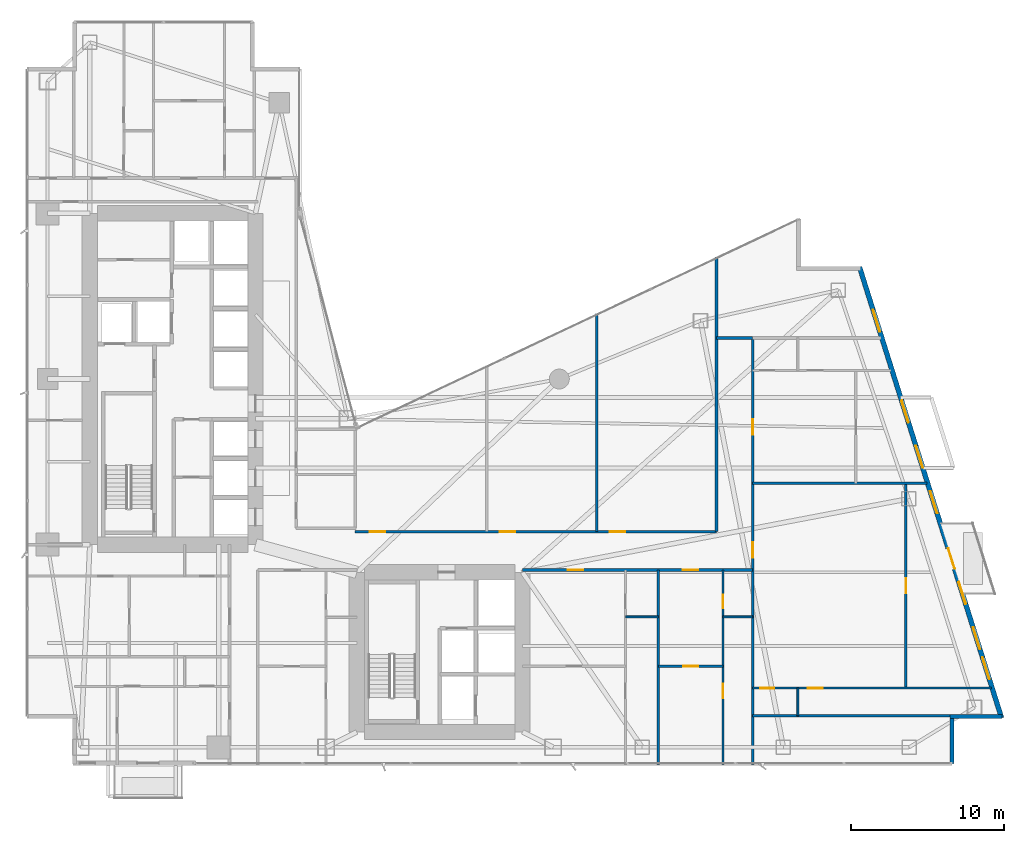
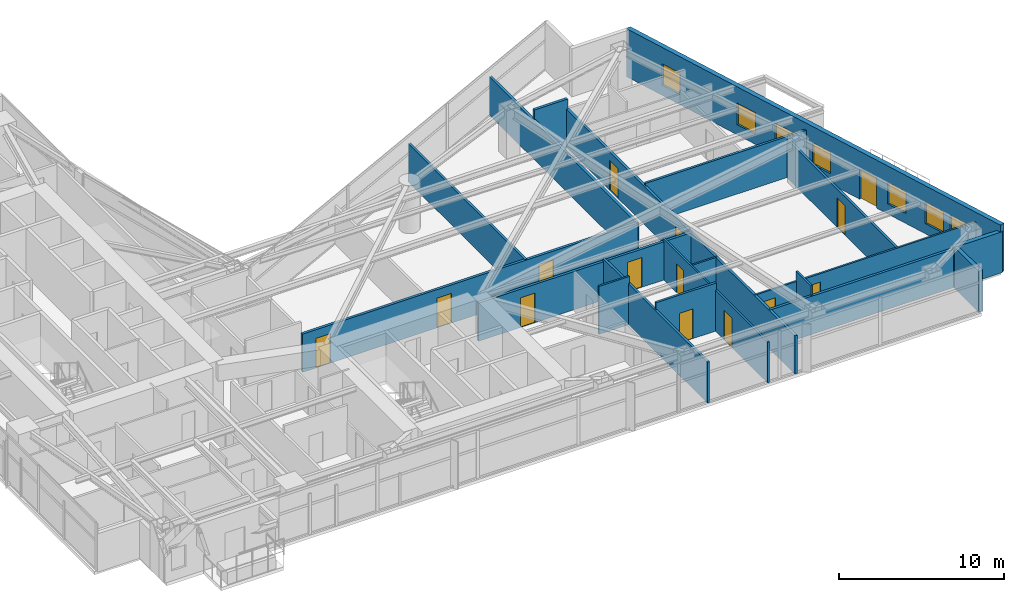
# One storey, part 24 of 29: 19 walls, 14 doors, 7 windows, 21 openings.
"""IFC4 building model written with IfcOpenShell, lengths in metres."""

from ifc_helpers import new_model, si_unit, direction, frame, frame_2d, origin, place, context, subcontext, project, spatial, rectangle, extrude, material, layer, layer_set, type_object, element, fill, save


model = new_model("IFC4")

# Units and contexts
model_context = context("Model", 3, precision=1e-05, world=origin(), true_north=direction((0.0, 1.0)))
body_context = subcontext(model_context, "Body", "Model", "MODEL_VIEW")
ifc_project = project(units=[si_unit("LENGTHUNIT", "METRE"), si_unit("AREAUNIT", "SQUARE_METRE"), si_unit("VOLUMEUNIT", "CUBIC_METRE"), si_unit("PLANEANGLEUNIT", "RADIAN"), si_unit("MASSUNIT", "GRAM", prefix="KILO")], contexts=[model_context])

# Site, building, storey
site_placement = place(None, origin())
site = spatial("IfcSite", under=ifc_project, at=site_placement, CompositionType="ELEMENT")
building_placement = place(site_placement, origin())
building = spatial("IfcBuilding", under=site, at=building_placement, Name="Calvorn Quay Hotel", CompositionType="ELEMENT")
storey_placement = place(building_placement, frame((0.0, 0.0, 38.39990234375)))
storey = spatial("IfcBuildingStorey", under=building, at=storey_placement, Name="L08", CompositionType="ELEMENT", Elevation=38.39990234375)

# Wall, openings, doors
ifc_material_1 = material(Name="Acoustic Fireboard Steel-Stud Partition", Category="steel")
ifc_layer_1 = layer(ifc_material_1, 0.179931640625)
ifc_layer_set_1 = layer_set([ifc_layer_1], Name="WL-CORR-FIRE-180")
wall_type_1 = type_object("IfcWallType", Name="WL-CORR-FIRE-180", PredefinedType="PARTITIONING", material=ifc_layer_set_1)
wall_1_placement = place(storey_placement, frame((32.39990234375, 15.14990234375, 0.0), z_axis=(0.0, 0.0, 1.0), x_axis=(1.0, 0.0, 0.0)))
wall_1 = element("IfcWall", 1, at=wall_1_placement, inside=storey, type_object=wall_type_1, Name="Partition Wall L08-WL-CORR-SE-S", PredefinedType="PARTITIONING", context=body_context, shape_type="SweptSolid", body=[
    extrude(rectangle(XDim=15.0, YDim=0.179931640625, at=frame_2d((7.5, 0.0))), origin(), (0.0, 0.0, 1.0), 2.840087890625),
])
opening_1_placement = place(wall_1_placement, frame((2.949951171875, 0.0, 0.0)))
opening_1 = element("IfcOpeningElement", 2, at=opening_1_placement, cuts=wall_1, Name="Opening D-L08-U06", PredefinedType="OPENING", context=body_context, shape_type="SweptSolid", body=[
    extrude(rectangle(XDim=1.02001953125, YDim=2.199951171875, at=frame_2d((0.510009765625, 1.10009765625))), frame((0.0, 0.099853515625, 0.0), z_axis=(0.0, -1.0, 0.0), x_axis=(1.0, 0.0, 0.0)), (0.0, 0.0, 1.0), 0.199951171875),
])
opening_2_placement = place(wall_1_placement, frame((10.449951171875, 0.0, 0.0)))
opening_2 = element("IfcOpeningElement", 3, at=opening_2_placement, cuts=wall_1, Name="Opening D-L08-U07", PredefinedType="OPENING", context=body_context, shape_type="SweptSolid", body=[
    extrude(rectangle(XDim=1.02001953125, YDim=2.199951171875, at=frame_2d((0.510009765625, 1.10009765625))), frame((0.0, 0.099853515625, 0.0), z_axis=(0.0, -1.0, 0.0), x_axis=(1.0, 0.0, 0.0)), (0.0, 0.0, 1.0), 0.199951171875),
])
ifc_material_2 = material(Name="Solid-Core Walnut Veneer Hotel Fire Door")
door_type_1 = type_object("IfcDoorType", Name="DR-GUEST-ENTRY-1020", OperationType="NOTDEFINED", PredefinedType="DOOR", material=ifc_material_2)
door_1_placement = place(opening_1_placement, origin())
door_1 = element("IfcDoor", 4, at=door_1_placement, inside=storey, type_object=door_type_1, Name="South-East Unit Door U06 (L08)", OperationType="SINGLE_SWING_LEFT", OverallHeight=2.199951171875, OverallWidth=1.02001953125, PredefinedType="DOOR", context=body_context, shape_type="SweptSolid", body=[
    extrude(rectangle(XDim=1.02001953125, YDim=2.199951171875, at=frame_2d((0.510009765625, 1.10009765625))), frame((0.0, 0.02490234375, 0.0), z_axis=(0.0, -1.0, 0.0), x_axis=(1.0, 0.0, 0.0)), (0.0, 0.0, 1.0), 0.050048828125),
])
fill(opening_1, door_1)
door_2_placement = place(opening_2_placement, origin())
door_2 = element("IfcDoor", 5, at=door_2_placement, inside=storey, type_object=door_type_1, Name="South-East Unit Door U07 (L08)", OperationType="SINGLE_SWING_RIGHT", OverallHeight=2.199951171875, OverallWidth=1.02001953125, PredefinedType="DOOR", context=body_context, shape_type="SweptSolid", body=[
    extrude(rectangle(XDim=1.02001953125, YDim=2.199951171875, at=frame_2d((0.510009765625, 1.10009765625))), frame((0.0, 0.02490234375, 0.0), z_axis=(0.0, -1.0, 0.0), x_axis=(1.0, 0.0, 0.0)), (0.0, 0.0, 1.0), 0.050048828125),
])
fill(opening_2, door_2)

wall_2_placement = place(storey_placement, frame((21.5, 17.64990234375, 0.0), z_axis=(0.0, 0.0, 1.0), x_axis=(1.0, 0.0, 0.0)))
wall_2 = element("IfcWall", 6, at=wall_2_placement, inside=storey, type_object=wall_type_1, Name="Partition Wall L08-WL-CORR-NE-N", PredefinedType="PARTITIONING", context=body_context, shape_type="SweptSolid", body=[
    extrude(rectangle(XDim=23.550048828125, YDim=0.179931640625, at=frame_2d((11.77490234375, 0.0))), origin(), (0.0, 0.0, 1.0), 2.840087890625),
])
opening_3_placement = place(wall_2_placement, frame((0.949951171875, 0.0, 0.0)))
opening_3 = element("IfcOpeningElement", 7, at=opening_3_placement, cuts=wall_2, Name="Opening D-L08-NS1", PredefinedType="OPENING", context=body_context, shape_type="SweptSolid", body=[
    extrude(rectangle(XDim=1.02001953125, YDim=2.199951171875, at=frame_2d((0.510009765625, 1.10009765625))), frame((0.0, 0.099853515625, 0.0), z_axis=(0.0, -1.0, 0.0), x_axis=(1.0, 0.0, 0.0)), (0.0, 0.0, 1.0), 0.199951171875),
])
opening_4_placement = place(wall_2_placement, frame((9.419921875, 0.0, 0.0)))
opening_4 = element("IfcOpeningElement", 8, at=opening_4_placement, cuts=wall_2, Name="Opening D-L08-NS2", PredefinedType="OPENING", context=body_context, shape_type="SweptSolid", body=[
    extrude(rectangle(XDim=1.02001953125, YDim=2.199951171875, at=frame_2d((0.510009765625, 1.10009765625))), frame((0.0, 0.099853515625, 0.0), z_axis=(0.0, -1.0, 0.0), x_axis=(1.0, 0.0, 0.0)), (0.0, 0.0, 1.0), 0.199951171875),
])
opening_5_placement = place(wall_2_placement, frame((16.580078125, 0.0, 0.0)))
opening_5 = element("IfcOpeningElement", 9, at=opening_5_placement, cuts=wall_2, Name="Opening D-L08-NS3", PredefinedType="OPENING", context=body_context, shape_type="SweptSolid", body=[
    extrude(rectangle(XDim=1.02001953125, YDim=2.199951171875, at=frame_2d((0.510009765625, 1.10009765625))), frame((0.0, 0.099853515625, 0.0), z_axis=(0.0, -1.0, 0.0), x_axis=(1.0, 0.0, 0.0)), (0.0, 0.0, 1.0), 0.199951171875),
])
door_3_placement = place(opening_3_placement, origin())
door_3 = element("IfcDoor", 10, at=door_3_placement, inside=storey, type_object=door_type_1, Name="Conservatory Salon Door 1 (L08)", OperationType="SINGLE_SWING_RIGHT", OverallHeight=2.199951171875, OverallWidth=1.02001953125, PredefinedType="DOOR", context=body_context, shape_type="SweptSolid", body=[
    extrude(rectangle(XDim=1.02001953125, YDim=2.199951171875, at=frame_2d((0.510009765625, 1.10009765625))), frame((0.0, 0.02490234375, 0.0), z_axis=(0.0, -1.0, 0.0), x_axis=(1.0, 0.0, 0.0)), (0.0, 0.0, 1.0), 0.050048828125),
])
fill(opening_3, door_3)
door_4_placement = place(opening_4_placement, origin())
door_4 = element("IfcDoor", 11, at=door_4_placement, inside=storey, type_object=door_type_1, Name="Conservatory Salon Door 2 (L08)", OperationType="SINGLE_SWING_LEFT", OverallHeight=2.199951171875, OverallWidth=1.02001953125, PredefinedType="DOOR", context=body_context, shape_type="SweptSolid", body=[
    extrude(rectangle(XDim=1.02001953125, YDim=2.199951171875, at=frame_2d((0.510009765625, 1.10009765625))), frame((0.0, 0.02490234375, 0.0), z_axis=(0.0, -1.0, 0.0), x_axis=(1.0, 0.0, 0.0)), (0.0, 0.0, 1.0), 0.050048828125),
])
fill(opening_4, door_4)
door_5_placement = place(opening_5_placement, origin())
door_5 = element("IfcDoor", 12, at=door_5_placement, inside=storey, type_object=door_type_1, Name="Conservatory Salon Door 3 (L08)", OperationType="SINGLE_SWING_RIGHT", OverallHeight=2.199951171875, OverallWidth=1.02001953125, PredefinedType="DOOR", context=body_context, shape_type="SweptSolid", body=[
    extrude(rectangle(XDim=1.02001953125, YDim=2.199951171875, at=frame_2d((0.510009765625, 1.10009765625))), frame((0.0, 0.02490234375, 0.0), z_axis=(0.0, -1.0, 0.0), x_axis=(1.0, 0.0, 0.0)), (0.0, 0.0, 1.0), 0.050048828125),
])
fill(opening_5, door_5)

# Walls
wall_3_placement = place(storey_placement, frame((45.050048828125, 17.64990234375, 0.0), z_axis=(0.0, 0.0, 1.0), x_axis=(0.0, 1.0, 0.0)))
element("IfcWall", 13, at=wall_3_placement, inside=storey, type_object=wall_type_1, Name="Partition Wall L08-WL-NE-END-E", PredefinedType="PARTITIONING", context=body_context, shape_type="SweptSolid", body=[
    extrude(rectangle(XDim=17.900146484375, YDim=0.179931640625, at=frame_2d((8.9501953125, 0.0))), origin(), (0.0, 0.0, 1.0), 2.840087890625),
])
wall_4_placement = place(storey_placement, frame((47.39990234375, 5.659912109375, 0.0), z_axis=(0.0, 0.0, 1.0), x_axis=(1.0, 0.0, 0.0)))
element("IfcWall", 14, at=wall_4_placement, inside=storey, type_object=wall_type_1, Name="Partition Wall L08-WL-TIP-S", PredefinedType="PARTITIONING", context=body_context, shape_type="SweptSolid", body=[
    extrude(rectangle(XDim=13.0, YDim=0.179931640625, at=frame_2d((6.5, 0.0))), origin(), (0.0, 0.0, 1.0), 2.840087890625),
])

# Wall, openings, doors
wall_5_placement = place(storey_placement, frame((47.39990234375, 2.43994140625, 0.0), z_axis=(0.0, 0.0, 1.0), x_axis=(0.0, 1.0, 0.0)))
wall_5 = element("IfcWall", 15, at=wall_5_placement, inside=storey, type_object=wall_type_1, Name="Partition Wall L08-WL-CORR-TIP-E", PredefinedType="PARTITIONING", context=body_context, shape_type="SweptSolid", body=[
    extrude(rectangle(XDim=27.840087890625, YDim=0.179931640625, at=frame_2d((13.919921875, 0.0))), origin(), (0.0, 0.0, 1.0), 2.840087890625),
])
opening_6_placement = place(wall_5_placement, frame((13.510009765625, 0.0, 0.0)))
opening_6 = element("IfcOpeningElement", 16, at=opening_6_placement, cuts=wall_5, Name="Opening D-L08-U08", PredefinedType="OPENING", context=body_context, shape_type="SweptSolid", body=[
    extrude(rectangle(XDim=1.02001953125, YDim=2.199951171875, at=frame_2d((0.510009765625, 1.10009765625))), frame((0.0, 0.099853515625, 0.0), z_axis=(0.0, -1.0, 0.0), x_axis=(1.0, 0.0, 0.0)), (0.0, 0.0, 1.0), 0.199951171875),
])
opening_7_placement = place(wall_5_placement, frame((21.52001953125, 0.0, 0.0)))
opening_7 = element("IfcOpeningElement", 17, at=opening_7_placement, cuts=wall_5, Name="Opening D-L08-U09", PredefinedType="OPENING", context=body_context, shape_type="SweptSolid", body=[
    extrude(rectangle(XDim=1.02001953125, YDim=2.199951171875, at=frame_2d((0.510009765625, 1.10009765625))), frame((0.0, 0.099853515625, 0.0), z_axis=(0.0, -1.0, 0.0), x_axis=(1.0, 0.0, 0.0)), (0.0, 0.0, 1.0), 0.199951171875),
])
door_6_placement = place(opening_6_placement, origin())
door_6 = element("IfcDoor", 18, at=door_6_placement, inside=storey, type_object=door_type_1, Name="Terrace Suite Door U08 (L08)", OperationType="SINGLE_SWING_LEFT", OverallHeight=2.199951171875, OverallWidth=1.02001953125, PredefinedType="DOOR", context=body_context, shape_type="SweptSolid", body=[
    extrude(rectangle(XDim=1.02001953125, YDim=2.199951171875, at=frame_2d((0.510009765625, 1.10009765625))), frame((0.0, 0.02490234375, 0.0), z_axis=(0.0, -1.0, 0.0), x_axis=(1.0, 0.0, 0.0)), (0.0, 0.0, 1.0), 0.050048828125),
])
fill(opening_6, door_6)
door_7_placement = place(opening_7_placement, origin())
door_7 = element("IfcDoor", 19, at=door_7_placement, inside=storey, type_object=door_type_1, Name="Horizon Suite Door U09 (L08)", OperationType="SINGLE_SWING_RIGHT", OverallHeight=2.199951171875, OverallWidth=1.02001953125, PredefinedType="DOOR", context=body_context, shape_type="SweptSolid", body=[
    extrude(rectangle(XDim=1.02001953125, YDim=2.199951171875, at=frame_2d((0.510009765625, 1.10009765625))), frame((0.0, 0.02490234375, 0.0), z_axis=(0.0, -1.0, 0.0), x_axis=(1.0, 0.0, 0.0)), (0.0, 0.0, 1.0), 0.050048828125),
])
fill(opening_7, door_7)

# Walls
wall_6_placement = place(storey_placement, frame((45.050048828125, 30.280029296875, 0.0), z_axis=(0.0, 0.0, 1.0), x_axis=(1.0, 0.0, 0.0)))
element("IfcWall", 20, at=wall_6_placement, inside=storey, type_object=wall_type_1, Name="Partition Wall L08-WL-CORR-TIP-NN", PredefinedType="PARTITIONING", context=body_context, shape_type="SweptSolid", body=[
    extrude(rectangle(XDim=2.349853515625, YDim=0.179931640625, at=frame_2d((1.1748046875, 0.0))), origin(), (0.0, 0.0, 1.0), 3.56005859375),
])
ifc_material_3 = material(Name="Moisture-Resistant Tile-Backed Partition")
ifc_layer_2 = layer(ifc_material_3, 0.125)
ifc_layer_set_2 = layer_set([ifc_layer_2], Name="WL-ENSUITE-125")
wall_type_2 = type_object("IfcWallType", Name="WL-ENSUITE-125", PredefinedType="PARTITIONING", material=ifc_layer_set_2)
wall_7_placement = place(storey_placement, frame((39.1201171875, 12.10009765625, 0.0), z_axis=(0.0, 0.0, 1.0), x_axis=(1.0, 0.0, 0.0)))
element("IfcWall", 21, at=wall_7_placement, inside=storey, type_object=wall_type_2, Name="Partition Wall L08-WL-U06-BDV", PredefinedType="PARTITIONING", context=body_context, shape_type="SweptSolid", body=[
    extrude(rectangle(XDim=2.1298828125, YDim=0.125, at=frame_2d((1.06494140625, 0.0))), origin(), (0.0, 0.0, 1.0), 3.56005859375),
])
wall_8_placement = place(storey_placement, frame((45.469970703125, 12.10009765625, 0.0), z_axis=(0.0, 0.0, 1.0), x_axis=(1.0, 0.0, 0.0)))
element("IfcWall", 22, at=wall_8_placement, inside=storey, type_object=wall_type_2, Name="Partition Wall L08-WL-U07-BDV", PredefinedType="PARTITIONING", context=body_context, shape_type="SweptSolid", body=[
    extrude(rectangle(XDim=1.929931640625, YDim=0.125, at=frame_2d((0.96484375, 0.0))), origin(), (0.0, 0.0, 1.0), 2.840087890625),
])

# Wall, openings, doors
wall_9_placement = place(storey_placement, frame((45.469970703125, 2.43994140625, 0.0), z_axis=(0.0, 0.0, 1.0), x_axis=(0.0, 1.0, 0.0)))
wall_9 = element("IfcWall", 23, at=wall_9_placement, inside=storey, type_object=wall_type_2, Name="Partition Wall L08-WL-U07-BV", PredefinedType="PARTITIONING", context=body_context, shape_type="SweptSolid", body=[
    extrude(rectangle(XDim=12.7099609375, YDim=0.125, at=frame_2d((6.35498046875, 0.0))), origin(), (0.0, 0.0, 1.0), 3.0400390625),
])
opening_8_placement = place(wall_9_placement, frame((4.35009765625, 0.0, 0.0)))
opening_8 = element("IfcOpeningElement", 24, at=opening_8_placement, cuts=wall_9, Name="Opening D-L08-S07", PredefinedType="OPENING", context=body_context, shape_type="SweptSolid", body=[
    extrude(rectangle(XDim=0.9599609375, YDim=2.199951171875, at=frame_2d((0.47998046875, 1.10009765625))), frame((0.0, 0.072509765625, 0.0), z_axis=(0.0, -1.0, 0.0), x_axis=(1.0, 0.0, 0.0)), (0.0, 0.0, 1.0), 0.14501953125),
])
opening_9_placement = place(wall_9_placement, frame((10.2099609375, 0.0, 0.0)))
opening_9 = element("IfcOpeningElement", 25, at=opening_9_placement, cuts=wall_9, Name="Opening D-L08-E07", PredefinedType="OPENING", context=body_context, shape_type="SweptSolid", body=[
    extrude(rectangle(XDim=0.89990234375, YDim=2.14990234375, at=frame_2d((0.449951171875, 1.074951171875))), frame((0.0, 0.072509765625, 0.0), z_axis=(0.0, -1.0, 0.0), x_axis=(1.0, 0.0, 0.0)), (0.0, 0.0, 1.0), 0.14501953125),
])
ifc_material_4 = material(Name="Moisture-Sealed Timber En-Suite Door", Category="wood")
door_type_2 = type_object("IfcDoorType", Name="DR-ENSUITE-900", OperationType="NOTDEFINED", PredefinedType="DOOR", material=ifc_material_4)
door_8_placement = place(opening_9_placement, origin())
door_8 = element("IfcDoor", 26, at=door_8_placement, inside=storey, type_object=door_type_2, Name="En-Suite Door 07", OperationType="SINGLE_SWING_RIGHT", OverallHeight=2.14990234375, OverallWidth=0.89990234375, PredefinedType="DOOR", context=body_context, shape_type="SweptSolid", body=[
    extrude(rectangle(XDim=0.89990234375, YDim=2.14990234375, at=frame_2d((0.449951171875, 1.074951171875))), frame((0.0, 0.02490234375, 0.0), z_axis=(0.0, -1.0, 0.0), x_axis=(1.0, 0.0, 0.0)), (0.0, 0.0, 1.0), 0.050048828125),
])
fill(opening_9, door_8)
ifc_material_5 = material(Name="Solid Timber Internal Suite Door", Category="wood")
door_type_3 = type_object("IfcDoorType", Name="DR-SUITE-INT-960", OperationType="NOTDEFINED", PredefinedType="DOOR", material=ifc_material_5)
door_9_placement = place(opening_8_placement, origin())
door_9 = element("IfcDoor", 27, at=door_9_placement, inside=storey, type_object=door_type_3, Name="Harbour Tea Room Door 07", OperationType="SINGLE_SWING_LEFT", OverallHeight=2.199951171875, OverallWidth=0.9599609375, PredefinedType="DOOR", context=body_context, shape_type="SweptSolid", body=[
    extrude(rectangle(XDim=0.9599609375, YDim=2.199951171875, at=frame_2d((0.47998046875, 1.10009765625))), frame((0.0, 0.02490234375, 0.0), z_axis=(0.0, -1.0, 0.0), x_axis=(1.0, 0.0, 0.0)), (0.0, 0.0, 1.0), 0.050048828125),
])
fill(opening_8, door_9)

# Wall
wall_10_placement = place(storey_placement, frame((50.35009765625, 5.659912109375, 0.0), z_axis=(0.0, 0.0, 1.0), x_axis=(0.0, 1.0, 0.0)))
element("IfcWall", 28, at=wall_10_placement, inside=storey, type_object=wall_type_2, Name="Partition Wall L08-WL-U08-BDV", PredefinedType="PARTITIONING", context=body_context, shape_type="SweptSolid", body=[
    extrude(rectangle(XDim=1.7900390625, YDim=0.125, at=frame_2d((0.89501953125, 0.0))), origin(), (0.0, 0.0, 1.0), 3.56005859375),
])

# Wall, openings, doors
wall_11_placement = place(storey_placement, frame((47.39990234375, 7.449951171875, 0.0), z_axis=(0.0, 0.0, 1.0), x_axis=(1.0, 0.0, 0.0)))
wall_11 = element("IfcWall", 29, at=wall_11_placement, inside=storey, type_object=wall_type_2, Name="Partition Wall L08-WL-U08-BH", PredefinedType="PARTITIONING", context=body_context, shape_type="SweptSolid", body=[
    extrude(rectangle(XDim=15.56005859375, YDim=0.125, at=frame_2d((7.780029296875, 0.0))), origin(), (0.0, 0.0, 1.0), 2.840087890625),
])
opening_10_placement = place(wall_11_placement, frame((0.5, 0.0, 0.0)))
opening_10 = element("IfcOpeningElement", 30, at=opening_10_placement, cuts=wall_11, Name="Opening D-L08-E08", PredefinedType="OPENING", context=body_context, shape_type="SweptSolid", body=[
    extrude(rectangle(XDim=0.89990234375, YDim=2.14990234375, at=frame_2d((0.449951171875, 1.074951171875))), frame((0.0, 0.072509765625, 0.0), z_axis=(0.0, -1.0, 0.0), x_axis=(1.0, 0.0, 0.0)), (0.0, 0.0, 1.0), 0.14501953125),
])
opening_11_placement = place(wall_11_placement, frame((3.60009765625, 0.0, 0.0)))
opening_11 = element("IfcOpeningElement", 31, at=opening_11_placement, cuts=wall_11, Name="Opening D-L08-S08", PredefinedType="OPENING", context=body_context, shape_type="SweptSolid", body=[
    extrude(rectangle(XDim=0.9599609375, YDim=2.199951171875, at=frame_2d((0.47998046875, 1.10009765625))), frame((0.0, 0.072509765625, 0.0), z_axis=(0.0, -1.0, 0.0), x_axis=(1.0, 0.0, 0.0)), (0.0, 0.0, 1.0), 0.14501953125),
])
door_10_placement = place(opening_10_placement, origin())
door_10 = element("IfcDoor", 32, at=door_10_placement, inside=storey, type_object=door_type_2, Name="En-Suite Door 08", OperationType="SINGLE_SWING_LEFT", OverallHeight=2.14990234375, OverallWidth=0.89990234375, PredefinedType="DOOR", context=body_context, shape_type="SweptSolid", body=[
    extrude(rectangle(XDim=0.89990234375, YDim=2.14990234375, at=frame_2d((0.449951171875, 1.074951171875))), frame((0.0, 0.02490234375, 0.0), z_axis=(0.0, -1.0, 0.0), x_axis=(1.0, 0.0, 0.0)), (0.0, 0.0, 1.0), 0.050048828125),
])
fill(opening_10, door_10)
door_11_placement = place(opening_11_placement, origin())
door_11 = element("IfcDoor", 33, at=door_11_placement, inside=storey, type_object=door_type_3, Name="Harbour Tea Room Door 08", OperationType="SINGLE_SWING_RIGHT", OverallHeight=2.199951171875, OverallWidth=0.9599609375, PredefinedType="DOOR", context=body_context, shape_type="SweptSolid", body=[
    extrude(rectangle(XDim=0.9599609375, YDim=2.199951171875, at=frame_2d((0.47998046875, 1.10009765625))), frame((0.0, 0.02490234375, 0.0), z_axis=(0.0, -1.0, 0.0), x_axis=(1.0, 0.0, 0.0)), (0.0, 0.0, 1.0), 0.050048828125),
])
fill(opening_11, door_11)

# Walls
ifc_material_6 = material(Name="Concrete C40", Category="concrete")
ifc_layer_3 = layer(ifc_material_6, 0.320068359375)
ifc_layer_set_3 = layer_set([ifc_layer_3], Name="WL-EXT-SPANDREL-320")
wall_type_3 = type_object("IfcWallType", Name="WL-EXT-SPANDREL-320", PredefinedType="SOLIDWALL", material=ifc_layer_set_3)
wall_12_placement = place(storey_placement, frame((60.39990234375, 2.52001953125, 0.0), z_axis=(0.0, 0.0, 1.0), x_axis=(0.0, 1.0, 0.0)))
element("IfcWall", 34, at=wall_12_placement, inside=storey, type_object=wall_type_3, Name="Notched Corner Spandrel L08-SE1", PredefinedType="SOLIDWALL", context=body_context, shape_type="SweptSolid", body=[
    extrude(rectangle(XDim=2.93994140625, YDim=0.280029296875, at=frame_2d((1.469970703125, 0.0))), origin(), (0.0, 0.0, 1.0), 3.0400390625),
])
wall_13_placement = place(storey_placement, frame((60.260009765625, 5.60009765625, 0.0), z_axis=(0.0, 0.0, 1.0), x_axis=(1.0, 0.0, 0.0)))
element("IfcWall", 35, at=wall_13_placement, inside=storey, type_object=wall_type_3, Name="Notched Corner Spandrel L08-SE2", PredefinedType="SOLIDWALL", context=body_context, shape_type="SweptSolid", body=[
    extrude(rectangle(XDim=3.3798828125, YDim=0.280029296875, at=frame_2d((1.68994140625, 0.0))), origin(), (0.0, 0.0, 1.0), 3.0400390625),
])

# Wall, openings, door, windows
wall_14_placement = place(storey_placement, frame((63.6298828125, 5.5048828125, 0.0), z_axis=(0.0, 0.0, 1.0), x_axis=(-0.300501856448, 0.953781229775, 0.0)))
wall_14 = element("IfcWall", 36, at=wall_14_placement, inside=storey, type_object=wall_type_3, Name="East Stepped Waterfront Exterior Wall (L08)", PredefinedType="SOLIDWALL", context=body_context, shape_type="SweptSolid", body=[
    extrude(rectangle(XDim=30.814453125, YDim=0.320068359375, at=frame_2d((15.4072265625, 0.0))), origin(), (0.0, 0.0, 1.0), 3.56005859375),
])
opening_12_placement = place(wall_14_placement, frame((10.198974609375, 0.0, 0.0)))
opening_12 = element("IfcOpeningElement", 37, at=opening_12_placement, cuts=wall_14, Name="Opening DB-L08-1", PredefinedType="OPENING", context=body_context, shape_type="SweptSolid", body=[
    extrude(rectangle(XDim=1.39990234375, YDim=2.25, at=frame_2d((0.699951171875, 1.125))), frame((0.0, 0.169921875, 0.0), z_axis=(0.0, -1.0, 0.0), x_axis=(1.0, 0.0, 0.0)), (0.0, 0.0, 1.0), 0.340087890625),
])
opening_13_placement = place(wall_14_placement, frame((2.64990234375, 0.0, 0.75)))
opening_13 = element("IfcOpeningElement", 38, at=opening_13_placement, cuts=wall_14, Name="Opening WG-L08-E1", PredefinedType="OPENING", context=body_context, shape_type="SweptSolid", body=[
    extrude(rectangle(XDim=1.5, YDim=1.60009765625, at=frame_2d((0.75, 0.800048828125))), frame((0.0, 0.169921875, 0.0), z_axis=(0.0, -1.0, 0.0), x_axis=(1.0, 0.0, 0.0)), (0.0, 0.0, 1.0), 0.340087890625),
])
opening_14_placement = place(wall_14_placement, frame((4.699951171875, 0.0, 0.75)))
opening_14 = element("IfcOpeningElement", 39, at=opening_14_placement, cuts=wall_14, Name="Opening WG-L08-E2", PredefinedType="OPENING", context=body_context, shape_type="SweptSolid", body=[
    extrude(rectangle(XDim=1.5, YDim=1.60009765625, at=frame_2d((0.75, 0.800048828125))), frame((0.0, 0.169921875, 0.0), z_axis=(0.0, -1.0, 0.0), x_axis=(1.0, 0.0, 0.0)), (0.0, 0.0, 1.0), 0.340087890625),
])
opening_15_placement = place(wall_14_placement, frame((7.800048828125, 0.0, 0.75)))
opening_15 = element("IfcOpeningElement", 40, at=opening_15_placement, cuts=wall_14, Name="Opening WG-L08-E3", PredefinedType="OPENING", context=body_context, shape_type="SweptSolid", body=[
    extrude(rectangle(XDim=1.5, YDim=1.60009765625, at=frame_2d((0.75, 0.800048828125))), frame((0.0, 0.169921875, 0.0), z_axis=(0.0, -1.0, 0.0), x_axis=(1.0, 0.0, 0.0)), (0.0, 0.0, 1.0), 0.340087890625),
])
opening_16_placement = place(wall_14_placement, frame((14.0, 0.0, 0.75)))
opening_16 = element("IfcOpeningElement", 41, at=opening_16_placement, cuts=wall_14, Name="Opening WG-L08-E4", PredefinedType="OPENING", context=body_context, shape_type="SweptSolid", body=[
    extrude(rectangle(XDim=1.5, YDim=1.60009765625, at=frame_2d((0.75, 0.800048828125))), frame((0.0, 0.169921875, 0.0), z_axis=(0.0, -1.0, 0.0), x_axis=(1.0, 0.0, 0.0)), (0.0, 0.0, 1.0), 0.340087890625),
])
opening_17_placement = place(wall_14_placement, frame((17.10009765625, 0.0, 0.75)))
opening_17 = element("IfcOpeningElement", 42, at=opening_17_placement, cuts=wall_14, Name="Opening WG-L08-E5", PredefinedType="OPENING", context=body_context, shape_type="SweptSolid", body=[
    extrude(rectangle(XDim=1.5, YDim=1.60009765625, at=frame_2d((0.75, 0.800048828125))), frame((0.0, 0.169921875, 0.0), z_axis=(0.0, -1.0, 0.0), x_axis=(1.0, 0.0, 0.0)), (0.0, 0.0, 1.0), 0.340087890625),
])
opening_18_placement = place(wall_14_placement, frame((20.199951171875, 0.0, 0.75)))
opening_18 = element("IfcOpeningElement", 43, at=opening_18_placement, cuts=wall_14, Name="Opening WG-L08-E6", PredefinedType="OPENING", context=body_context, shape_type="SweptSolid", body=[
    extrude(rectangle(XDim=1.5, YDim=1.60009765625, at=frame_2d((0.75, 0.800048828125))), frame((0.0, 0.169921875, 0.0), z_axis=(0.0, -1.0, 0.0), x_axis=(1.0, 0.0, 0.0)), (0.0, 0.0, 1.0), 0.340087890625),
])
opening_19_placement = place(wall_14_placement, frame((26.39990234375, 0.0, 0.75)))
opening_19 = element("IfcOpeningElement", 44, at=opening_19_placement, cuts=wall_14, Name="Opening WG-L08-E7", PredefinedType="OPENING", context=body_context, shape_type="SweptSolid", body=[
    extrude(rectangle(XDim=1.5, YDim=1.60009765625, at=frame_2d((0.75, 0.800048828125))), frame((0.0, 0.169921875, 0.0), z_axis=(0.0, -1.0, 0.0), x_axis=(1.0, 0.0, 0.0)), (0.0, 0.0, 1.0), 0.340087890625),
])
ifc_material_7 = material(Name="Typhoon-Rated Low-E Aluminium Terrace Door", Category="aluminium")
door_type_4 = type_object("IfcDoorType", Name="DR-BALCONY-GLZ-1400", OperationType="NOTDEFINED", PredefinedType="DOOR", material=ifc_material_7)
door_12_placement = place(opening_12_placement, origin())
door_12 = element("IfcDoor", 45, at=door_12_placement, inside=storey, type_object=door_type_4, Name="Tree Balcony Terrace Door L08-BALC-E", OperationType="SINGLE_SWING_LEFT", OverallHeight=2.25, OverallWidth=1.39990234375, PredefinedType="DOOR", context=body_context, shape_type="SweptSolid", body=[
    extrude(rectangle(XDim=1.39990234375, YDim=2.25, at=frame_2d((0.699951171875, 1.125))), frame((0.0, 0.02490234375, 0.0), z_axis=(0.0, -1.0, 0.0), x_axis=(1.0, 0.0, 0.0)), (0.0, 0.0, 1.0), 0.050048828125),
])
fill(opening_12, door_12)
ifc_material_8 = material(Name="Self-Closing Class B Fire Window")
window_type = type_object("IfcWindowType", Name="WIN-REFUGE-1500x1600", PartitioningType="SINGLE_PANEL", PredefinedType="WINDOW", material=ifc_material_8)
window_1_placement = place(opening_13_placement, origin())
window_1 = element("IfcWindow", 46, at=window_1_placement, inside=storey, type_object=window_type, Name="East Facade Window L08-E1", OverallHeight=1.60009765625, OverallWidth=1.5, PartitioningType="SINGLE_PANEL", PredefinedType="WINDOW", context=body_context, shape_type="SweptSolid", body=[
    extrude(rectangle(XDim=1.5, YDim=1.60009765625, at=frame_2d((0.75, 0.800048828125))), frame((0.0, 0.030029296875, 0.0), z_axis=(0.0, -1.0, 0.0), x_axis=(1.0, 0.0, 0.0)), (0.0, 0.0, 1.0), 0.06005859375),
])
fill(opening_13, window_1)
window_2_placement = place(opening_14_placement, origin())
window_2 = element("IfcWindow", 47, at=window_2_placement, inside=storey, type_object=window_type, Name="East Facade Window L08-E2", OverallHeight=1.60009765625, OverallWidth=1.5, PartitioningType="SINGLE_PANEL", PredefinedType="WINDOW", context=body_context, shape_type="SweptSolid", body=[
    extrude(rectangle(XDim=1.5, YDim=1.60009765625, at=frame_2d((0.75, 0.800048828125))), frame((0.0, 0.030029296875, 0.0), z_axis=(0.0, -1.0, 0.0), x_axis=(1.0, 0.0, 0.0)), (0.0, 0.0, 1.0), 0.06005859375),
])
fill(opening_14, window_2)
window_3_placement = place(opening_15_placement, origin())
window_3 = element("IfcWindow", 48, at=window_3_placement, inside=storey, type_object=window_type, Name="East Facade Window L08-E3", OverallHeight=1.60009765625, OverallWidth=1.5, PartitioningType="SINGLE_PANEL", PredefinedType="WINDOW", context=body_context, shape_type="SweptSolid", body=[
    extrude(rectangle(XDim=1.5, YDim=1.60009765625, at=frame_2d((0.75, 0.800048828125))), frame((0.0, 0.030029296875, 0.0), z_axis=(0.0, -1.0, 0.0), x_axis=(1.0, 0.0, 0.0)), (0.0, 0.0, 1.0), 0.06005859375),
])
fill(opening_15, window_3)
window_4_placement = place(opening_16_placement, origin())
window_4 = element("IfcWindow", 49, at=window_4_placement, inside=storey, type_object=window_type, Name="East Facade Window L08-E4", OverallHeight=1.60009765625, OverallWidth=1.5, PartitioningType="SINGLE_PANEL", PredefinedType="WINDOW", context=body_context, shape_type="SweptSolid", body=[
    extrude(rectangle(XDim=1.5, YDim=1.60009765625, at=frame_2d((0.75, 0.800048828125))), frame((0.0, 0.030029296875, 0.0), z_axis=(0.0, -1.0, 0.0), x_axis=(1.0, 0.0, 0.0)), (0.0, 0.0, 1.0), 0.06005859375),
])
fill(opening_16, window_4)
window_5_placement = place(opening_17_placement, origin())
window_5 = element("IfcWindow", 50, at=window_5_placement, inside=storey, type_object=window_type, Name="East Facade Window L08-E5", OverallHeight=1.60009765625, OverallWidth=1.5, PartitioningType="SINGLE_PANEL", PredefinedType="WINDOW", context=body_context, shape_type="SweptSolid", body=[
    extrude(rectangle(XDim=1.5, YDim=1.60009765625, at=frame_2d((0.75, 0.800048828125))), frame((0.0, 0.030029296875, 0.0), z_axis=(0.0, -1.0, 0.0), x_axis=(1.0, 0.0, 0.0)), (0.0, 0.0, 1.0), 0.06005859375),
])
fill(opening_17, window_5)
window_6_placement = place(opening_18_placement, origin())
window_6 = element("IfcWindow", 51, at=window_6_placement, inside=storey, type_object=window_type, Name="East Facade Window L08-E6", OverallHeight=1.60009765625, OverallWidth=1.5, PartitioningType="SINGLE_PANEL", PredefinedType="WINDOW", context=body_context, shape_type="SweptSolid", body=[
    extrude(rectangle(XDim=1.5, YDim=1.60009765625, at=frame_2d((0.75, 0.800048828125))), frame((0.0, 0.030029296875, 0.0), z_axis=(0.0, -1.0, 0.0), x_axis=(1.0, 0.0, 0.0)), (0.0, 0.0, 1.0), 0.06005859375),
])
fill(opening_18, window_6)
window_7_placement = place(opening_19_placement, origin())
window_7 = element("IfcWindow", 52, at=window_7_placement, inside=storey, type_object=window_type, Name="East Facade Window L08-E7", OverallHeight=1.60009765625, OverallWidth=1.5, PartitioningType="SINGLE_PANEL", PredefinedType="WINDOW", context=body_context, shape_type="SweptSolid", body=[
    extrude(rectangle(XDim=1.5, YDim=1.60009765625, at=frame_2d((0.75, 0.800048828125))), frame((0.0, 0.030029296875, 0.0), z_axis=(0.0, -1.0, 0.0), x_axis=(1.0, 0.0, 0.0)), (0.0, 0.0, 1.0), 0.06005859375),
])
fill(opening_19, window_7)

# Wall, opening, door
ifc_material_9 = material(Name="Double-Stud Acoustic Gypsum Partition")
ifc_layer_4 = layer(ifc_material_9, 0.159912109375)
ifc_layer_set_4 = layer_set([ifc_layer_4], Name="WL-INTERSUITE-160")
wall_type_4 = type_object("IfcWallType", Name="WL-INTERSUITE-160", PredefinedType="PARTITIONING", material=ifc_layer_set_4)
wall_15_placement = place(storey_placement, frame((41.25, 8.8798828125, 0.0), z_axis=(0.0, 0.0, 1.0), x_axis=(1.0, 0.0, 0.0)))
wall_15 = element("IfcWall", 53, at=wall_15_placement, inside=storey, type_object=wall_type_4, Name="Partition Wall L08-WL-U07-MSP", PredefinedType="PARTITIONING", context=body_context, shape_type="SweptSolid", body=[
    extrude(rectangle(XDim=4.219970703125, YDim=0.159912109375, at=frame_2d((2.10986328125, 0.0))), origin(), (0.0, 0.0, 1.0), 3.56005859375),
])
opening_20_placement = place(wall_15_placement, frame((1.6298828125, 0.0, 0.0)))
opening_20 = element("IfcOpeningElement", 54, at=opening_20_placement, cuts=wall_15, Name="Opening D-L08-M07", PredefinedType="OPENING", context=body_context, shape_type="SweptSolid", body=[
    extrude(rectangle(XDim=0.9599609375, YDim=2.199951171875, at=frame_2d((0.47998046875, 1.10009765625))), frame((0.0, 0.08984375, 0.0), z_axis=(0.0, -1.0, 0.0), x_axis=(1.0, 0.0, 0.0)), (0.0, 0.0, 1.0), 0.179931640625),
])
door_13_placement = place(opening_20_placement, origin())
door_13 = element("IfcDoor", 55, at=door_13_placement, inside=storey, type_object=door_type_3, Name="Suite Bedroom Door 07", OperationType="SINGLE_SWING_LEFT", OverallHeight=2.199951171875, OverallWidth=0.9599609375, PredefinedType="DOOR", context=body_context, shape_type="SweptSolid", body=[
    extrude(rectangle(XDim=0.9599609375, YDim=2.199951171875, at=frame_2d((0.47998046875, 1.10009765625))), frame((0.0, 0.02490234375, 0.0), z_axis=(0.0, -1.0, 0.0), x_axis=(1.0, 0.0, 0.0)), (0.0, 0.0, 1.0), 0.050048828125),
])
fill(opening_20, door_13)

# Walls
wall_16_placement = place(storey_placement, frame((41.25, 2.43994140625, 0.0), z_axis=(0.0, 0.0, 1.0), x_axis=(0.0, 1.0, 0.0)))
element("IfcWall", 56, at=wall_16_placement, inside=storey, type_object=wall_type_4, Name="Partition Wall L08-WL-SE-DIV-1", PredefinedType="PARTITIONING", context=body_context, shape_type="SweptSolid", body=[
    extrude(rectangle(XDim=12.7099609375, YDim=0.159912109375, at=frame_2d((6.35498046875, 0.0))), origin(), (0.0, 0.0, 1.0), 3.0400390625),
])
wall_17_placement = place(storey_placement, frame((37.22998046875, 17.64990234375, 0.0), z_axis=(0.0, 0.0, 1.0), x_axis=(0.0, 1.0, 0.0)))
element("IfcWall", 57, at=wall_17_placement, inside=storey, type_object=wall_type_4, Name="Partition Wall L08-WL-NE-DIV-2", PredefinedType="PARTITIONING", context=body_context, shape_type="SweptSolid", body=[
    extrude(rectangle(XDim=14.210205078125, YDim=0.159912109375, at=frame_2d((7.10498046875, 0.0))), origin(), (0.0, 0.0, 1.0), 2.840087890625),
])

# Wall, opening, door
wall_18_placement = place(storey_placement, frame((57.389892578125, 7.449951171875, 0.0), z_axis=(0.0, 0.0, 1.0), x_axis=(0.0, 1.0, 0.0)))
wall_18 = element("IfcWall", 58, at=wall_18_placement, inside=storey, type_object=wall_type_4, Name="Partition Wall L08-WL-U08-MSP", PredefinedType="PARTITIONING", context=body_context, shape_type="SweptSolid", body=[
    extrude(rectangle(XDim=13.35009765625, YDim=0.159912109375, at=frame_2d((6.675048828125, 0.0))), origin(), (0.0, 0.0, 1.0), 2.840087890625),
])
opening_21_placement = place(wall_18_placement, frame((6.199951171875, 0.0, 0.0)))
opening_21 = element("IfcOpeningElement", 59, at=opening_21_placement, cuts=wall_18, Name="Opening D-L08-M08", PredefinedType="OPENING", context=body_context, shape_type="SweptSolid", body=[
    extrude(rectangle(XDim=0.9599609375, YDim=2.199951171875, at=frame_2d((0.47998046875, 1.10009765625))), frame((0.0, 0.08984375, 0.0), z_axis=(0.0, -1.0, 0.0), x_axis=(1.0, 0.0, 0.0)), (0.0, 0.0, 1.0), 0.179931640625),
])
door_14_placement = place(opening_21_placement, origin())
door_14 = element("IfcDoor", 60, at=door_14_placement, inside=storey, type_object=door_type_3, Name="Suite Bedroom Door 08", OperationType="SINGLE_SWING_LEFT", OverallHeight=2.199951171875, OverallWidth=0.9599609375, PredefinedType="DOOR", context=body_context, shape_type="SweptSolid", body=[
    extrude(rectangle(XDim=0.9599609375, YDim=2.199951171875, at=frame_2d((0.47998046875, 1.10009765625))), frame((0.0, 0.02490234375, 0.0), z_axis=(0.0, -1.0, 0.0), x_axis=(1.0, 0.0, 0.0)), (0.0, 0.0, 1.0), 0.050048828125),
])
fill(opening_21, door_14)

# Wall
wall_19_placement = place(storey_placement, frame((47.39990234375, 20.800048828125, 0.0), z_axis=(0.0, 0.0, 1.0), x_axis=(1.0, 0.0, 0.0)))
element("IfcWall", 61, at=wall_19_placement, inside=storey, type_object=wall_type_4, Name="Partition Wall L08-WL-TIP-DIV", PredefinedType="PARTITIONING", context=body_context, shape_type="SweptSolid", body=[
    extrude(rectangle(XDim=11.35009765625, YDim=0.159912109375, at=frame_2d((5.675048828125, 0.0))), origin(), (0.0, 0.0, 1.0), 3.0400390625),
])

save(model, "model.ifc")
